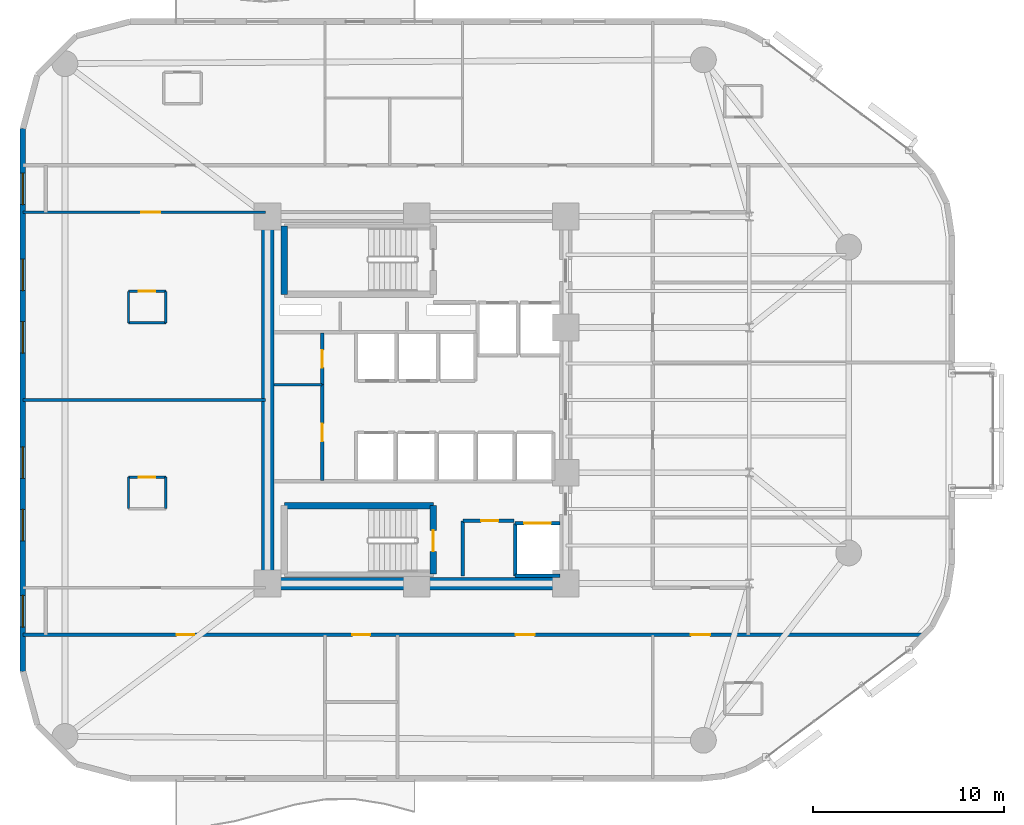
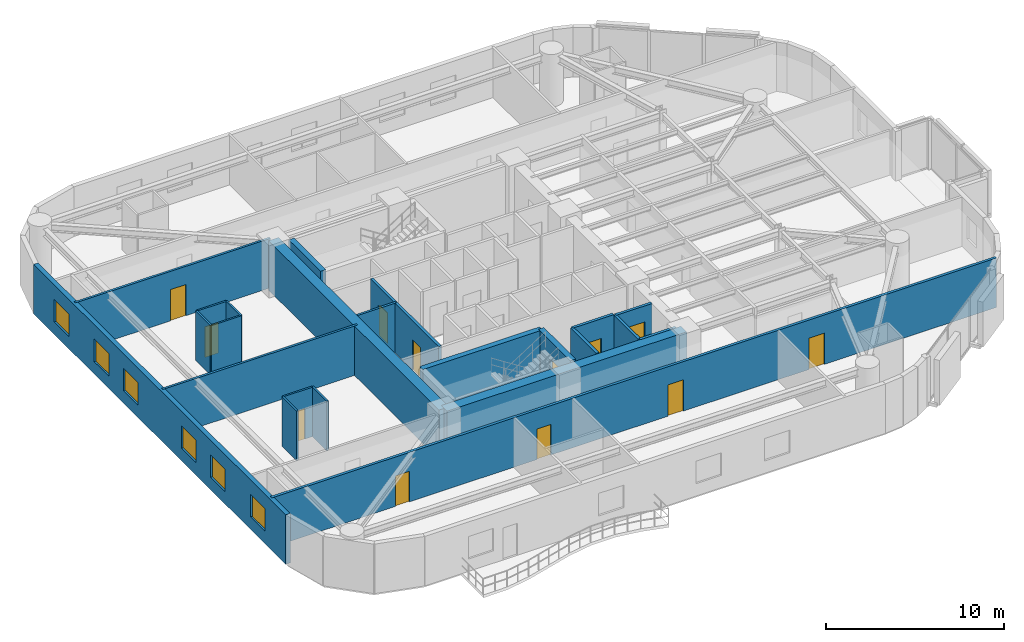
# One storey, part 8 of 13: 24 walls, 12 doors, 6 windows, 18 openings.
"""IFC4 building model written with IfcOpenShell, lengths in metres."""

from ifc_helpers import new_model, si_unit, direction, frame, frame_2d, origin, place, context, subcontext, project, spatial, rectangle, extrude, material, layer, layer_set, type_object, element, fill, save


model = new_model("IFC4")

# Units and contexts
model_context = context("Model", 3, precision=1e-05, world=origin(), true_north=direction((0.0, 1.0)))
body_context = subcontext(model_context, "Body", "Model", "MODEL_VIEW")
ifc_project = project(units=[si_unit("LENGTHUNIT", "METRE"), si_unit("AREAUNIT", "SQUARE_METRE"), si_unit("VOLUMEUNIT", "CUBIC_METRE"), si_unit("PLANEANGLEUNIT", "RADIAN"), si_unit("MASSUNIT", "GRAM", prefix="KILO")], contexts=[model_context])

# Site, building, storey
site_placement = place(None, origin())
site = spatial("IfcSite", under=ifc_project, at=site_placement, CompositionType="ELEMENT")
building_placement = place(site_placement, origin())
building = spatial("IfcBuilding", under=site, at=building_placement, Name="An Khanh Terracotta Commons", CompositionType="ELEMENT")
storey_placement = place(building_placement, frame((0.0, 0.0, 125.89990234375)))
storey = spatial("IfcBuildingStorey", under=building, at=storey_placement, Name="L33", CompositionType="ELEMENT", Elevation=125.89990234375)

# Walls
ifc_material_1 = material(Name="Concrete C60/75", Category="concrete")
ifc_layer_1 = layer(ifc_material_1, 0.64990234375, Name="Concrete C60/75")
ifc_layer_set_1 = layer_set([ifc_layer_1], Name="Concrete C60/75")
wall_type_1 = type_object("IfcWallType", Name="WALL-CORE-650", PredefinedType="SHEAR", material=ifc_layer_set_1)
wall_1_placement = place(storey_placement, frame((21.60009765625, 14.39990234375, 0.0), z_axis=(0.0, 0.0, 1.0), x_axis=(0.0, 1.0, 0.0)))
element("IfcWall", 1, at=wall_1_placement, inside=storey, type_object=wall_type_1, Name="L33 Core Wall CWALL-L33-W", PredefinedType="SHEAR", context=body_context, shape_type="SweptSolid", body=[
    extrude(rectangle(XDim=19.2001953125, YDim=0.64990234375, at=frame_2d((9.60009765625, 0.0))), origin(), (0.0, 0.0, 1.0), 3.400146484375),
])
wall_2_placement = place(storey_placement, frame((37.199951171875, 14.39990234375, 0.0), z_axis=(0.0, 0.0, 1.0), x_axis=(-1.0, 0.0, 0.0)))
element("IfcWall", 2, at=wall_2_placement, inside=storey, type_object=wall_type_1, Name="L33 Core Wall CWALL-L33-S", PredefinedType="SHEAR", context=body_context, shape_type="SweptSolid", body=[
    extrude(rectangle(XDim=15.599853515625, YDim=0.64990234375, at=frame_2d((7.7998046875, 0.0))), origin(), (0.0, 0.0, 1.0), 3.400146484375),
])

# Wall, opening, door
ifc_material_2 = material(Name="Fire-Rated Gypsum Board on Steel Stud", Category="steel")
ifc_layer_2 = layer(ifc_material_2, 0.179931640625, Name="Fire-Rated Gypsum Board on Steel Stud")
ifc_layer_set_2 = layer_set([ifc_layer_2], Name="Fire-Rated Gypsum Board on Steel Stud")
wall_type_2 = type_object("IfcWallType", Name="WALL-CORR-180", PredefinedType="PARTITIONING", material=ifc_layer_set_2)
wall_3_placement = place(storey_placement, frame((31.820068359375, 17.679931640625, 0.0), z_axis=(0.0, 0.0, 1.0), x_axis=(1.0, 0.0, 0.0)))
wall_3 = element("IfcWall", 3, at=wall_3_placement, inside=storey, type_object=wall_type_2, Name="L33 Core Wall SSVCW-L33-N", PredefinedType="PARTITIONING", context=body_context, shape_type="SweptSolid", body=[
    extrude(rectangle(XDim=2.659912109375, YDim=0.179931640625, at=frame_2d((1.330078125, 0.0))), origin(), (0.0, 0.0, 1.0), 3.400146484375),
])
opening_1_placement = place(wall_3_placement, frame((0.949951171875, 0.0, 0.0)))
opening_1 = element("IfcOpeningElement", 4, at=opening_1_placement, cuts=wall_3, Name="Opening D-SV", PredefinedType="OPENING", context=body_context, shape_type="SweptSolid", body=[
    extrude(rectangle(XDim=0.89990234375, YDim=2.050048828125, at=frame_2d((0.449951171875, 1.02490234375))), frame((0.0, 0.099853515625, 0.0), z_axis=(0.0, -1.0, 0.0), x_axis=(1.0, 0.0, 0.0)), (0.0, 0.0, 1.0), 0.199951171875),
])
ifc_material_3 = material(Name="Fire-Rated Powder-Coated Steel Door", Category="steel")
door_type_1 = type_object("IfcDoorType", Name="DOOR-SERV-900", OperationType="NOTDEFINED", PredefinedType="DOOR", material=ifc_material_3)
door_1_placement = place(opening_1_placement, origin())
door_1 = element("IfcDoor", 5, at=door_1_placement, inside=storey, type_object=door_type_1, Name="L33 Core Housekeeping Store Door", OperationType="SINGLE_SWING_LEFT", OverallHeight=2.050048828125, OverallWidth=0.89990234375, PredefinedType="DOOR", context=body_context, shape_type="SweptSolid", body=[
    extrude(rectangle(XDim=0.89990234375, YDim=2.050048828125, at=frame_2d((0.449951171875, 1.02490234375))), frame((0.0, 0.02490234375, 0.0), z_axis=(0.0, -1.0, 0.0), x_axis=(1.0, 0.0, 0.0)), (0.0, 0.0, 1.0), 0.050048828125),
])
fill(opening_1, door_1)

# Wall
wall_4_placement = place(storey_placement, frame((31.820068359375, 14.800048828125, 0.0), z_axis=(0.0, 0.0, 1.0), x_axis=(0.0, 1.0, 0.0)))
element("IfcWall", 6, at=wall_4_placement, inside=storey, type_object=wall_type_2, Name="L33 Core Wall SSVCW-L33-W", PredefinedType="PARTITIONING", context=body_context, shape_type="SweptSolid", body=[
    extrude(rectangle(XDim=2.8798828125, YDim=0.179931640625, at=frame_2d((1.43994140625, 0.0))), origin(), (0.0, 0.0, 1.0), 3.400146484375),
])

# Wall, opening, door
wall_5_placement = place(storey_placement, frame((34.550048828125, 17.550048828125, 0.0), z_axis=(0.0, 0.0, 1.0), x_axis=(1.0, 0.0, 0.0)))
wall_5 = element("IfcWall", 7, at=wall_5_placement, inside=storey, type_object=wall_type_2, Name="L33 Core Wall LSH-L33-SVL-01-N", PredefinedType="PARTITIONING", context=body_context, shape_type="SweptSolid", body=[
    extrude(rectangle(XDim=2.349853515625, YDim=0.179931640625, at=frame_2d((1.1748046875, 0.0))), origin(), (0.0, 0.0, 1.0), 3.400146484375),
])
opening_2_placement = place(wall_5_placement, frame((0.47509765625, 0.0, 0.0)))
opening_2 = element("IfcOpeningElement", 8, at=opening_2_placement, cuts=wall_5, Name="Opening LD-SVL-01-L33", PredefinedType="OPENING", context=body_context, shape_type="SweptSolid", body=[
    extrude(rectangle(XDim=1.39990234375, YDim=2.300048828125, at=frame_2d((0.699951171875, 1.14990234375))), frame((0.0, 0.099853515625, 0.0), z_axis=(0.0, -1.0, 0.0), x_axis=(1.0, 0.0, 0.0)), (0.0, 0.0, 1.0), 0.199951171875),
])
ifc_material_4 = material(Name="Heavy-Duty Stainless Steel Goods Landing Door", Category="steel")
door_type_2 = type_object("IfcDoorType", Name="DOOR-LD-SVL-1400", OperationType="NOTDEFINED", PredefinedType="DOOR", material=ifc_material_4)
door_2_placement = place(opening_2_placement, origin())
door_2 = element("IfcDoor", 9, at=door_2_placement, inside=storey, type_object=door_type_2, Name="L33 Lift SVL-01 Sliding Landing Door", OperationType="DOUBLE_DOOR_SLIDING", OverallHeight=2.300048828125, OverallWidth=1.39990234375, PredefinedType="DOOR", context=body_context, shape_type="SweptSolid", body=[
    extrude(rectangle(XDim=1.39990234375, YDim=2.300048828125, at=frame_2d((0.699951171875, 1.14990234375))), frame((0.0, 0.02490234375, 0.0), z_axis=(0.0, -1.0, 0.0), x_axis=(1.0, 0.0, 0.0)), (0.0, 0.0, 1.0), 0.050048828125),
])
fill(opening_2, door_2)

# Walls
wall_6_placement = place(storey_placement, frame((36.89990234375, 14.800048828125, 0.0), z_axis=(0.0, 0.0, 1.0), x_axis=(-1.0, 0.0, 0.0)))
element("IfcWall", 10, at=wall_6_placement, inside=storey, type_object=wall_type_2, Name="L33 Core Wall LSH-L33-SVL-01-S", PredefinedType="PARTITIONING", context=body_context, shape_type="SweptSolid", body=[
    extrude(rectangle(XDim=2.349853515625, YDim=0.179931640625, at=frame_2d((1.1748046875, 0.0))), origin(), (0.0, 0.0, 1.0), 3.400146484375),
])
wall_7_placement = place(storey_placement, frame((34.550048828125, 17.550048828125, 0.0), z_axis=(0.0, 0.0, 1.0), x_axis=(0.0, -1.0, 0.0)))
element("IfcWall", 11, at=wall_7_placement, inside=storey, type_object=wall_type_2, Name="L33 Core Wall LSH-L33-SVL-01-W", PredefinedType="PARTITIONING", context=body_context, shape_type="SweptSolid", body=[
    extrude(rectangle(XDim=2.75, YDim=0.179931640625, at=frame_2d((1.375, 0.0))), origin(), (0.0, 0.0, 1.0), 3.400146484375),
])

# Wall, opening, door
wall_8_placement = place(storey_placement, frame((24.4599609375, 24.800048828125, 0.0), z_axis=(0.0, 0.0, 1.0), x_axis=(0.0, 1.0, 0.0)))
wall_8 = element("IfcWall", 12, at=wall_8_placement, inside=storey, type_object=wall_type_2, Name="L33 Core Wall RECW-L33-E1", PredefinedType="PARTITIONING", context=body_context, shape_type="SweptSolid", body=[
    extrude(rectangle(XDim=2.699951171875, YDim=0.179931640625, at=frame_2d((1.35009765625, 0.0))), origin(), (0.0, 0.0, 1.0), 3.400146484375),
])
opening_3_placement = place(wall_8_placement, frame((0.889892578125, 0.0, 0.0)))
opening_3 = element("IfcOpeningElement", 13, at=opening_3_placement, cuts=wall_8, Name="Opening D-RM", PredefinedType="OPENING", context=body_context, shape_type="SweptSolid", body=[
    extrude(rectangle(XDim=0.919921875, YDim=2.10009765625, at=frame_2d((0.4599609375, 1.050048828125))), frame((0.0, 0.099853515625, 0.0), z_axis=(0.0, -1.0, 0.0), x_axis=(1.0, 0.0, 0.0)), (0.0, 0.0, 1.0), 0.199951171875),
])
ifc_material_5 = material(Name="Engineered Hardwood Timber Leaf", Category="wood")
door_type_3 = type_object("IfcDoorType", Name="DOOR-INT-920", OperationType="NOTDEFINED", PredefinedType="DOOR", material=ifc_material_5)
door_3_placement = place(opening_3_placement, origin())
door_3 = element("IfcDoor", 14, at=door_3_placement, inside=storey, type_object=door_type_3, Name="L33 Floor Pantry and Ice Room Door", OperationType="SINGLE_SWING_RIGHT", OverallHeight=2.10009765625, OverallWidth=0.919921875, PredefinedType="DOOR", context=body_context, shape_type="SweptSolid", body=[
    extrude(rectangle(XDim=0.919921875, YDim=2.10009765625, at=frame_2d((0.4599609375, 1.050048828125))), frame((0.0, 0.02490234375, 0.0), z_axis=(0.0, -1.0, 0.0), x_axis=(1.0, 0.0, 0.0)), (0.0, 0.0, 1.0), 0.050048828125),
])
fill(opening_3, door_3)

wall_9_placement = place(storey_placement, frame((24.4599609375, 19.800048828125, 0.0), z_axis=(0.0, 0.0, 1.0), x_axis=(0.0, 1.0, 0.0)))
wall_9 = element("IfcWall", 15, at=wall_9_placement, inside=storey, type_object=wall_type_2, Name="L33 Core Wall RECW-L33-E2", PredefinedType="PARTITIONING", context=body_context, shape_type="SweptSolid", body=[
    extrude(rectangle(XDim=5.0, YDim=0.179931640625, at=frame_2d((2.5, 0.0))), origin(), (0.0, 0.0, 1.0), 3.400146484375),
])
opening_4_placement = place(wall_9_placement, frame((2.0400390625, 0.0, 0.0)))
opening_4 = element("IfcOpeningElement", 16, at=opening_4_placement, cuts=wall_9, Name="Opening D-RM", PredefinedType="OPENING", context=body_context, shape_type="SweptSolid", body=[
    extrude(rectangle(XDim=0.919921875, YDim=2.10009765625, at=frame_2d((0.4599609375, 1.050048828125))), frame((0.0, 0.099853515625, 0.0), z_axis=(0.0, -1.0, 0.0), x_axis=(1.0, 0.0, 0.0)), (0.0, 0.0, 1.0), 0.199951171875),
])
door_4_placement = place(opening_4_placement, origin())
door_4 = element("IfcDoor", 17, at=door_4_placement, inside=storey, type_object=door_type_3, Name="L33 Luggage Locker Room Door", OperationType="SINGLE_SWING_LEFT", OverallHeight=2.10009765625, OverallWidth=0.919921875, PredefinedType="DOOR", context=body_context, shape_type="SweptSolid", body=[
    extrude(rectangle(XDim=0.919921875, YDim=2.10009765625, at=frame_2d((0.4599609375, 1.050048828125))), frame((0.0, 0.02490234375, 0.0), z_axis=(0.0, -1.0, 0.0), x_axis=(1.0, 0.0, 0.0)), (0.0, 0.0, 1.0), 0.050048828125),
])
fill(opening_4, door_4)

# Wall, openings, doors
wall_10_placement = place(storey_placement, frame((8.800048828125, 11.719970703125, 0.0), z_axis=(0.0, 0.0, 1.0), x_axis=(1.0, 0.0, 0.0)))
wall_10 = element("IfcWall", 18, at=wall_10_placement, inside=storey, type_object=wall_type_2, Name="L33 Interior Partition IW-L33-E002", PredefinedType="PARTITIONING", context=body_context, shape_type="SweptSolid", body=[
    extrude(rectangle(XDim=47.140869140625, YDim=0.179931640625, at=frame_2d((23.5703125, 0.0))), origin(), (0.0, 0.0, 1.0), 3.400146484375),
])
opening_5_placement = place(wall_10_placement, frame((17.239990234375, 0.0, 0.0)))
opening_5 = element("IfcOpeningElement", 19, at=opening_5_placement, cuts=wall_10, Name="Opening D-RM", PredefinedType="OPENING", context=body_context, shape_type="SweptSolid", body=[
    extrude(rectangle(XDim=0.919921875, YDim=2.10009765625, at=frame_2d((0.4599609375, 1.050048828125))), frame((0.0, 0.099853515625, 0.0), z_axis=(0.0, -1.0, 0.0), x_axis=(1.0, 0.0, 0.0)), (0.0, 0.0, 1.0), 0.199951171875),
])
opening_6_placement = place(wall_10_placement, frame((34.949951171875, 0.0, 0.0)))
opening_6 = element("IfcOpeningElement", 20, at=opening_6_placement, cuts=wall_10, Name="Opening D-UN", PredefinedType="OPENING", context=body_context, shape_type="SweptSolid", body=[
    extrude(rectangle(XDim=1.0, YDim=2.14990234375, at=frame_2d((0.5, 1.074951171875))), frame((0.0, 0.099853515625, 0.0), z_axis=(0.0, -1.0, 0.0), x_axis=(1.0, 0.0, 0.0)), (0.0, 0.0, 1.0), 0.199951171875),
])
opening_7_placement = place(wall_10_placement, frame((8.0400390625, 0.0, 0.0)))
opening_7 = element("IfcOpeningElement", 21, at=opening_7_placement, cuts=wall_10, Name="Opening D-RM", PredefinedType="OPENING", context=body_context, shape_type="SweptSolid", body=[
    extrude(rectangle(XDim=0.919921875, YDim=2.10009765625, at=frame_2d((0.4599609375, 1.050048828125))), frame((0.0, 0.099853515625, 0.0), z_axis=(0.0, -1.0, 0.0), x_axis=(1.0, 0.0, 0.0)), (0.0, 0.0, 1.0), 0.199951171875),
])
opening_8_placement = place(wall_10_placement, frame((25.77490234375, 0.0, 0.0)))
opening_8 = element("IfcOpeningElement", 22, at=opening_8_placement, cuts=wall_10, Name="Opening D-UN", PredefinedType="OPENING", context=body_context, shape_type="SweptSolid", body=[
    extrude(rectangle(XDim=1.0, YDim=2.14990234375, at=frame_2d((0.5, 1.074951171875))), frame((0.0, 0.099853515625, 0.0), z_axis=(0.0, -1.0, 0.0), x_axis=(1.0, 0.0, 0.0)), (0.0, 0.0, 1.0), 0.199951171875),
])
door_5_placement = place(opening_5_placement, origin())
door_5 = element("IfcDoor", 23, at=door_5_placement, inside=storey, type_object=door_type_3, Name="L33 HKP Housekeeping Linen Store Door", OperationType="SINGLE_SWING_LEFT", OverallHeight=2.10009765625, OverallWidth=0.919921875, PredefinedType="DOOR", context=body_context, shape_type="SweptSolid", body=[
    extrude(rectangle(XDim=0.919921875, YDim=2.10009765625, at=frame_2d((0.4599609375, 1.050048828125))), frame((0.0, 0.02490234375, 0.0), z_axis=(0.0, -1.0, 0.0), x_axis=(1.0, 0.0, 0.0)), (0.0, 0.0, 1.0), 0.050048828125),
])
fill(opening_5, door_5)
door_6_placement = place(opening_7_placement, origin())
door_6 = element("IfcDoor", 24, at=door_6_placement, inside=storey, type_object=door_type_3, Name="L33 SW1 Music Practice Room Door", OperationType="SINGLE_SWING_RIGHT", OverallHeight=2.10009765625, OverallWidth=0.919921875, PredefinedType="DOOR", context=body_context, shape_type="SweptSolid", body=[
    extrude(rectangle(XDim=0.919921875, YDim=2.10009765625, at=frame_2d((0.4599609375, 1.050048828125))), frame((0.0, 0.02490234375, 0.0), z_axis=(0.0, -1.0, 0.0), x_axis=(1.0, 0.0, 0.0)), (0.0, 0.0, 1.0), 0.050048828125),
])
fill(opening_7, door_6)
ifc_material_6 = material(Name="Solid-Core Hardwood Acoustic Fire Door", Category="wood")
door_type_4 = type_object("IfcDoorType", Name="DOOR-UNIT-1000", OperationType="NOTDEFINED", PredefinedType="DOOR", material=ifc_material_6)
door_7_placement = place(opening_6_placement, origin())
door_7 = element("IfcDoor", 25, at=door_7_placement, inside=storey, type_object=door_type_4, Name="L33 FANS Kitchenette and Studio Apartment Door", OperationType="SINGLE_SWING_LEFT", OverallHeight=2.14990234375, OverallWidth=1.0, PredefinedType="DOOR", context=body_context, shape_type="SweptSolid", body=[
    extrude(rectangle(XDim=1.0, YDim=2.14990234375, at=frame_2d((0.5, 1.074951171875))), frame((0.0, 0.02490234375, 0.0), z_axis=(0.0, -1.0, 0.0), x_axis=(1.0, 0.0, 0.0)), (0.0, 0.0, 1.0), 0.050048828125),
])
fill(opening_6, door_7)
door_8_placement = place(opening_8_placement, origin())
door_8 = element("IfcDoor", 26, at=door_8_placement, inside=storey, type_object=door_type_4, Name="L33 SWE Yoga Studio Door", OperationType="SINGLE_SWING_LEFT", OverallHeight=2.14990234375, OverallWidth=1.0, PredefinedType="DOOR", context=body_context, shape_type="SweptSolid", body=[
    extrude(rectangle(XDim=1.0, YDim=2.14990234375, at=frame_2d((0.5, 1.074951171875))), frame((0.0, 0.02490234375, 0.0), z_axis=(0.0, -1.0, 0.0), x_axis=(1.0, 0.0, 0.0)), (0.0, 0.0, 1.0), 0.050048828125),
])
fill(opening_8, door_8)

# Wall, openings, windows
ifc_material_7 = material(Name="Precast concrete C40/50", Category="concrete")
ifc_layer_3 = layer(ifc_material_7, 0.300048828125, Name="Precast concrete C40/50")
ifc_layer_set_3 = layer_set([ifc_layer_3], Name="Precast concrete C40/50")
wall_type_3 = type_object("IfcWallType", Name="WALL-EXT-300", PredefinedType="SOLIDWALL", material=ifc_layer_set_3)
wall_11_placement = place(storey_placement, frame((8.800048828125, 38.199951171875, 0.0), z_axis=(0.0, 0.0, 1.0), x_axis=(0.0, -1.0, 0.0)))
wall_11 = element("IfcWall", 27, at=wall_11_placement, inside=storey, type_object=wall_type_3, Name="L33 Insulated Terracotta Exterior Wall 24", PredefinedType="SOLIDWALL", context=body_context, shape_type="SweptSolid", body=[
    extrude(rectangle(XDim=28.39990234375, YDim=0.300048828125, at=frame_2d((14.199951171875, 0.0))), origin(), (0.0, 0.0, 1.0), 3.400146484375),
])
opening_9_placement = place(wall_11_placement, frame((2.324951171875, 0.0, 0.85009765625)))
opening_9 = element("IfcOpeningElement", 28, at=opening_9_placement, cuts=wall_11, Name="Opening W-02", PredefinedType="OPENING", context=body_context, shape_type="SweptSolid", body=[
    extrude(rectangle(XDim=1.64990234375, YDim=1.550048828125, at=frame_2d((0.824951171875, 0.77490234375))), frame((0.0, 0.159912109375, 0.0), z_axis=(0.0, -1.0, 0.0), x_axis=(1.0, 0.0, 0.0)), (0.0, 0.0, 1.0), 0.320068359375),
])
opening_10_placement = place(wall_11_placement, frame((6.827880859375, 0.0, 0.85009765625)))
opening_10 = element("IfcOpeningElement", 29, at=opening_10_placement, cuts=wall_11, Name="Opening W-02", PredefinedType="OPENING", context=body_context, shape_type="SweptSolid", body=[
    extrude(rectangle(XDim=1.64990234375, YDim=1.550048828125, at=frame_2d((0.824951171875, 0.77490234375))), frame((0.0, 0.159912109375, 0.0), z_axis=(0.0, -1.0, 0.0), x_axis=(1.0, 0.0, 0.0)), (0.0, 0.0, 1.0), 0.320068359375),
])
opening_11_placement = place(wall_11_placement, frame((10.10205078125, 0.0, 0.85009765625)))
opening_11 = element("IfcOpeningElement", 30, at=opening_11_placement, cuts=wall_11, Name="Opening W-02", PredefinedType="OPENING", context=body_context, shape_type="SweptSolid", body=[
    extrude(rectangle(XDim=1.64990234375, YDim=1.550048828125, at=frame_2d((0.824951171875, 0.77490234375))), frame((0.0, 0.159912109375, 0.0), z_axis=(0.0, -1.0, 0.0), x_axis=(1.0, 0.0, 0.0)), (0.0, 0.0, 1.0), 0.320068359375),
])
opening_12_placement = place(wall_11_placement, frame((16.64794921875, 0.0, 0.85009765625)))
opening_12 = element("IfcOpeningElement", 31, at=opening_12_placement, cuts=wall_11, Name="Opening W-02", PredefinedType="OPENING", context=body_context, shape_type="SweptSolid", body=[
    extrude(rectangle(XDim=1.64990234375, YDim=1.550048828125, at=frame_2d((0.824951171875, 0.77490234375))), frame((0.0, 0.159912109375, 0.0), z_axis=(0.0, -1.0, 0.0), x_axis=(1.0, 0.0, 0.0)), (0.0, 0.0, 1.0), 0.320068359375),
])
opening_13_placement = place(wall_11_placement, frame((19.922119140625, 0.0, 0.85009765625)))
opening_13 = element("IfcOpeningElement", 32, at=opening_13_placement, cuts=wall_11, Name="Opening W-02", PredefinedType="OPENING", context=body_context, shape_type="SweptSolid", body=[
    extrude(rectangle(XDim=1.64990234375, YDim=1.550048828125, at=frame_2d((0.824951171875, 0.77490234375))), frame((0.0, 0.159912109375, 0.0), z_axis=(0.0, -1.0, 0.0), x_axis=(1.0, 0.0, 0.0)), (0.0, 0.0, 1.0), 0.320068359375),
])
opening_14_placement = place(wall_11_placement, frame((24.425048828125, 0.0, 0.85009765625)))
opening_14 = element("IfcOpeningElement", 33, at=opening_14_placement, cuts=wall_11, Name="Opening W-02", PredefinedType="OPENING", context=body_context, shape_type="SweptSolid", body=[
    extrude(rectangle(XDim=1.64990234375, YDim=1.550048828125, at=frame_2d((0.824951171875, 0.77490234375))), frame((0.0, 0.159912109375, 0.0), z_axis=(0.0, -1.0, 0.0), x_axis=(1.0, 0.0, 0.0)), (0.0, 0.0, 1.0), 0.320068359375),
])
ifc_material_8 = material(Name="Thermally Broken Aluminium and Low-E Glass", Category="aluminium")
window_type = type_object("IfcWindowType", Name="WIN-Z2-1650x1550", PartitioningType="DOUBLE_PANEL_VERTICAL", PredefinedType="WINDOW", material=ifc_material_8)
window_1_placement = place(opening_9_placement, origin())
window_1 = element("IfcWindow", 34, at=window_1_placement, inside=storey, type_object=window_type, Name="L33 Operable Casement Window 24.1", OverallHeight=1.550048828125, OverallWidth=1.64990234375, PartitioningType="DOUBLE_PANEL_VERTICAL", PredefinedType="WINDOW", context=body_context, shape_type="SweptSolid", body=[
    extrude(rectangle(XDim=1.64990234375, YDim=1.550048828125, at=frame_2d((0.824951171875, 0.77490234375))), frame((0.0, 0.030029296875, 0.0), z_axis=(0.0, -1.0, 0.0), x_axis=(1.0, 0.0, 0.0)), (0.0, 0.0, 1.0), 0.06005859375),
])
fill(opening_9, window_1)
window_2_placement = place(opening_10_placement, origin())
window_2 = element("IfcWindow", 35, at=window_2_placement, inside=storey, type_object=window_type, Name="L33 Operable Casement Window 24.2", OverallHeight=1.550048828125, OverallWidth=1.64990234375, PartitioningType="DOUBLE_PANEL_VERTICAL", PredefinedType="WINDOW", context=body_context, shape_type="SweptSolid", body=[
    extrude(rectangle(XDim=1.64990234375, YDim=1.550048828125, at=frame_2d((0.824951171875, 0.77490234375))), frame((0.0, 0.030029296875, 0.0), z_axis=(0.0, -1.0, 0.0), x_axis=(1.0, 0.0, 0.0)), (0.0, 0.0, 1.0), 0.06005859375),
])
fill(opening_10, window_2)
window_3_placement = place(opening_11_placement, origin())
window_3 = element("IfcWindow", 36, at=window_3_placement, inside=storey, type_object=window_type, Name="L33 Operable Casement Window 24.3", OverallHeight=1.550048828125, OverallWidth=1.64990234375, PartitioningType="DOUBLE_PANEL_VERTICAL", PredefinedType="WINDOW", context=body_context, shape_type="SweptSolid", body=[
    extrude(rectangle(XDim=1.64990234375, YDim=1.550048828125, at=frame_2d((0.824951171875, 0.77490234375))), frame((0.0, 0.030029296875, 0.0), z_axis=(0.0, -1.0, 0.0), x_axis=(1.0, 0.0, 0.0)), (0.0, 0.0, 1.0), 0.06005859375),
])
fill(opening_11, window_3)
window_4_placement = place(opening_12_placement, origin())
window_4 = element("IfcWindow", 37, at=window_4_placement, inside=storey, type_object=window_type, Name="L33 Operable Casement Window 24.4", OverallHeight=1.550048828125, OverallWidth=1.64990234375, PartitioningType="DOUBLE_PANEL_VERTICAL", PredefinedType="WINDOW", context=body_context, shape_type="SweptSolid", body=[
    extrude(rectangle(XDim=1.64990234375, YDim=1.550048828125, at=frame_2d((0.824951171875, 0.77490234375))), frame((0.0, 0.030029296875, 0.0), z_axis=(0.0, -1.0, 0.0), x_axis=(1.0, 0.0, 0.0)), (0.0, 0.0, 1.0), 0.06005859375),
])
fill(opening_12, window_4)
window_5_placement = place(opening_13_placement, origin())
window_5 = element("IfcWindow", 38, at=window_5_placement, inside=storey, type_object=window_type, Name="L33 Operable Casement Window 24.5", OverallHeight=1.550048828125, OverallWidth=1.64990234375, PartitioningType="DOUBLE_PANEL_VERTICAL", PredefinedType="WINDOW", context=body_context, shape_type="SweptSolid", body=[
    extrude(rectangle(XDim=1.64990234375, YDim=1.550048828125, at=frame_2d((0.824951171875, 0.77490234375))), frame((0.0, 0.030029296875, 0.0), z_axis=(0.0, -1.0, 0.0), x_axis=(1.0, 0.0, 0.0)), (0.0, 0.0, 1.0), 0.06005859375),
])
fill(opening_13, window_5)
window_6_placement = place(opening_14_placement, origin())
window_6 = element("IfcWindow", 39, at=window_6_placement, inside=storey, type_object=window_type, Name="L33 Operable Casement Window 24.6", OverallHeight=1.550048828125, OverallWidth=1.64990234375, PartitioningType="DOUBLE_PANEL_VERTICAL", PredefinedType="WINDOW", context=body_context, shape_type="SweptSolid", body=[
    extrude(rectangle(XDim=1.64990234375, YDim=1.550048828125, at=frame_2d((0.824951171875, 0.77490234375))), frame((0.0, 0.030029296875, 0.0), z_axis=(0.0, -1.0, 0.0), x_axis=(1.0, 0.0, 0.0)), (0.0, 0.0, 1.0), 0.06005859375),
])
fill(opening_14, window_6)

# Walls
ifc_material_9 = material(Name="Acoustic Gypsum Board Partition")
ifc_layer_4 = layer(ifc_material_9, 0.14990234375, Name="Acoustic Gypsum Board Partition")
ifc_layer_set_4 = layer_set([ifc_layer_4], Name="Acoustic Gypsum Board Partition")
wall_type_4 = type_object("IfcWallType", Name="WALL-PART-150", PredefinedType="PARTITIONING", material=ifc_layer_set_4)
wall_12_placement = place(storey_placement, frame((21.949951171875, 24.800048828125, 0.0), z_axis=(0.0, 0.0, 1.0), x_axis=(1.0, 0.0, 0.0)))
element("IfcWall", 40, at=wall_12_placement, inside=storey, type_object=wall_type_4, Name="L33 Core Wall RECW-L33-M", PredefinedType="PARTITIONING", context=body_context, shape_type="SweptSolid", body=[
    extrude(rectangle(XDim=2.510009765625, YDim=0.14990234375, at=frame_2d((1.2548828125, 0.0))), origin(), (0.0, 0.0, 1.0), 3.400146484375),
])
wall_13_placement = place(storey_placement, frame((8.800048828125, 24.0, 0.0), z_axis=(0.0, 0.0, 1.0), x_axis=(1.0, 0.0, 0.0)))
element("IfcWall", 41, at=wall_13_placement, inside=storey, type_object=wall_type_4, Name="L33 Interior Partition IW-L33-E006", PredefinedType="PARTITIONING", context=body_context, shape_type="SweptSolid", body=[
    extrude(rectangle(XDim=12.679931640625, YDim=0.14990234375, at=frame_2d((6.33984375, 0.0))), origin(), (0.0, 0.0, 1.0), 3.400146484375),
])

# Wall, opening, door
wall_14_placement = place(storey_placement, frame((8.800048828125, 33.820068359375, 0.0), z_axis=(0.0, 0.0, 1.0), x_axis=(1.0, 0.0, 0.0)))
wall_14 = element("IfcWall", 42, at=wall_14_placement, inside=storey, type_object=wall_type_4, Name="L33 Interior Partition IW-L33-E009", PredefinedType="PARTITIONING", context=body_context, shape_type="SweptSolid", body=[
    extrude(rectangle(XDim=12.679931640625, YDim=0.14990234375, at=frame_2d((6.33984375, 0.0))), origin(), (0.0, 0.0, 1.0), 3.400146484375),
])
opening_15_placement = place(wall_14_placement, frame((6.179931640625, 0.0, 0.0)))
opening_15 = element("IfcOpeningElement", 43, at=opening_15_placement, cuts=wall_14, Name="Opening D-UN", PredefinedType="OPENING", context=body_context, shape_type="SweptSolid", body=[
    extrude(rectangle(XDim=1.0, YDim=2.14990234375, at=frame_2d((0.5, 1.074951171875))), frame((0.0, 0.0849609375, 0.0), z_axis=(0.0, -1.0, 0.0), x_axis=(1.0, 0.0, 0.0)), (0.0, 0.0, 1.0), 0.169921875),
])
door_9_placement = place(opening_15_placement, origin())
door_9 = element("IfcDoor", 44, at=door_9_placement, inside=storey, type_object=door_type_4, Name="L33 WW2 Kitchenette and Studio Apartment Door", OperationType="SINGLE_SWING_LEFT", OverallHeight=2.14990234375, OverallWidth=1.0, PredefinedType="DOOR", context=body_context, shape_type="SweptSolid", body=[
    extrude(rectangle(XDim=1.0, YDim=2.14990234375, at=frame_2d((0.5, 1.074951171875))), frame((0.0, 0.02490234375, 0.0), z_axis=(0.0, -1.0, 0.0), x_axis=(1.0, 0.0, 0.0)), (0.0, 0.0, 1.0), 0.050048828125),
])
fill(opening_15, door_9)

# Walls
ifc_material_10 = material(Name="Concrete C50/60", Category="concrete")
ifc_layer_5 = layer(ifc_material_10, 0.35009765625, Name="Concrete C50/60")
ifc_layer_set_5 = layer_set([ifc_layer_5], Name="Concrete C50/60")
wall_type_5 = type_object("IfcWallType", Name="WALL-SHAFT-350", PredefinedType="SOLIDWALL", material=ifc_layer_set_5)
wall_15_placement = place(storey_placement, frame((22.47998046875, 29.530029296875, 0.0), z_axis=(0.0, 0.0, 1.0), x_axis=(0.0, 1.0, 0.0)))
element("IfcWall", 45, at=wall_15_placement, inside=storey, type_object=wall_type_5, Name="L33 Core Wall STW-L33-N-W", PredefinedType="SOLIDWALL", context=body_context, shape_type="SweptSolid", body=[
    extrude(rectangle(XDim=3.580078125, YDim=0.35009765625, at=frame_2d((1.7900390625, 0.0))), origin(), (0.0, 0.0, 1.0), 3.400146484375),
])
wall_16_placement = place(storey_placement, frame((22.47998046875, 18.469970703125, 0.0), z_axis=(0.0, 0.0, 1.0), x_axis=(1.0, 0.0, 0.0)))
element("IfcWall", 46, at=wall_16_placement, inside=storey, type_object=wall_type_5, Name="L33 Core Wall STW-L33-S-N", PredefinedType="SOLIDWALL", context=body_context, shape_type="SweptSolid", body=[
    extrude(rectangle(XDim=7.7900390625, YDim=0.35009765625, at=frame_2d((3.89501953125, 0.0))), origin(), (0.0, 0.0, 1.0), 3.400146484375),
])

# Wall, opening, door
wall_17_placement = place(storey_placement, frame((30.27001953125, 14.889892578125, 0.0), z_axis=(0.0, 0.0, 1.0), x_axis=(0.0, 1.0, 0.0)))
wall_17 = element("IfcWall", 47, at=wall_17_placement, inside=storey, type_object=wall_type_5, Name="L33 Core Wall STW-L33-S-E", PredefinedType="SOLIDWALL", context=body_context, shape_type="SweptSolid", body=[
    extrude(rectangle(XDim=3.580078125, YDim=0.35009765625, at=frame_2d((1.7900390625, 0.0))), origin(), (0.0, 0.0, 1.0), 3.400146484375),
])
opening_16_placement = place(wall_17_placement, frame((1.18994140625, 0.0, 0.0)))
opening_16 = element("IfcOpeningElement", 48, at=opening_16_placement, cuts=wall_17, Name="Opening D-ST", PredefinedType="OPENING", context=body_context, shape_type="SweptSolid", body=[
    extrude(rectangle(XDim=1.10009765625, YDim=2.14990234375, at=frame_2d((0.550048828125, 1.074951171875))), frame((0.0, 0.18505859375, 0.0), z_axis=(0.0, -1.0, 0.0), x_axis=(1.0, 0.0, 0.0)), (0.0, 0.0, 1.0), 0.3701171875),
])
ifc_material_11 = material(Name="Fire-Rated Steel Leaf and Frame", Category="steel")
door_type_5 = type_object("IfcDoorType", Name="DOOR-STAIR-1100", OperationType="NOTDEFINED", PredefinedType="DOOR", material=ifc_material_11)
door_10_placement = place(opening_16_placement, origin())
door_10 = element("IfcDoor", 49, at=door_10_placement, inside=storey, type_object=door_type_5, Name="L33 Stair ST-02 Fire Door", OperationType="SINGLE_SWING_RIGHT", OverallHeight=2.14990234375, OverallWidth=1.10009765625, PredefinedType="DOOR", context=body_context, shape_type="SweptSolid", body=[
    extrude(rectangle(XDim=1.10009765625, YDim=2.14990234375, at=frame_2d((0.550048828125, 1.074951171875))), frame((0.0, 0.02490234375, 0.0), z_axis=(0.0, -1.0, 0.0), x_axis=(1.0, 0.0, 0.0)), (0.0, 0.0, 1.0), 0.050048828125),
])
fill(opening_16, door_10)

ifc_material_12 = material(Name="Moisture-Resistant Cement Board Partition")
ifc_layer_6 = layer(ifc_material_12, 0.1201171875, Name="Moisture-Resistant Cement Board Partition")
ifc_layer_set_6 = layer_set([ifc_layer_6], Name="Moisture-Resistant Cement Board Partition")
wall_type_6 = type_object("IfcWallType", Name="WALL-WET-120", PredefinedType="PARTITIONING", material=ifc_layer_set_6)
wall_18_placement = place(storey_placement, frame((14.324951171875, 19.965087890625, 0.0), z_axis=(0.0, 0.0, 1.0), x_axis=(1.0, 0.0, 0.0)))
wall_18 = element("IfcWall", 50, at=wall_18_placement, inside=storey, type_object=wall_type_6, Name="L33 Interior Partition IW-L33-WW1-BN", PredefinedType="PARTITIONING", context=body_context, shape_type="SweptSolid", body=[
    extrude(rectangle(XDim=1.949951171875, YDim=0.1201171875, at=frame_2d((0.97509765625, 0.0))), origin(), (0.0, 0.0, 1.0), 3.400146484375),
])
opening_17_placement = place(wall_18_placement, frame((0.544921875, 0.0, 0.0)))
opening_17 = element("IfcOpeningElement", 51, at=opening_17_placement, cuts=wall_18, Name="Opening D-ENS", PredefinedType="OPENING", context=body_context, shape_type="SweptSolid", body=[
    extrude(rectangle(XDim=0.860107421875, YDim=2.10009765625, at=frame_2d((0.43017578125, 1.050048828125))), frame((0.0, 0.070068359375, 0.0), z_axis=(0.0, -1.0, 0.0), x_axis=(1.0, 0.0, 0.0)), (0.0, 0.0, 1.0), 0.14013671875),
])
ifc_material_13 = material(Name="Moisture-Resistant Hardwood Timber Leaf", Category="wood")
door_type_6 = type_object("IfcDoorType", Name="DOOR-BATH-860", OperationType="NOTDEFINED", PredefinedType="DOOR", material=ifc_material_13)
door_11_placement = place(opening_17_placement, origin())
door_11 = element("IfcDoor", 52, at=door_11_placement, inside=storey, type_object=door_type_6, Name="L33 Studio WW1 En-suite Door", OperationType="SINGLE_SWING_LEFT", OverallHeight=2.10009765625, OverallWidth=0.860107421875, PredefinedType="DOOR", context=body_context, shape_type="SweptSolid", body=[
    extrude(rectangle(XDim=0.860107421875, YDim=2.10009765625, at=frame_2d((0.43017578125, 1.050048828125))), frame((0.0, 0.02490234375, 0.0), z_axis=(0.0, -1.0, 0.0), x_axis=(1.0, 0.0, 0.0)), (0.0, 0.0, 1.0), 0.050048828125),
])
fill(opening_17, door_11)

# Walls
for number, where, z_axis, x_axis, name in (
    (53, (14.324951171875, 19.965087890625, 0.0), (0.0, 0.0, 1.0), (0.0, -1.0, 0.0), "L33 Interior Partition IW-L33-WW1-BW"),
    (54, (16.27490234375, 18.31494140625, 0.0), (0.0, 0.0, 1.0), (0.0, 1.0, 0.0), "L33 Interior Partition IW-L33-WW1-BE"),
):
    element("IfcWall", number, at=place(storey_placement, frame(where, z_axis=z_axis, x_axis=x_axis)), inside=storey, type_object=wall_type_6, Name=name, PredefinedType="PARTITIONING", context=body_context, shape_type="SweptSolid", body=[
        extrude(rectangle(XDim=1.650146484375, YDim=0.1201171875, at=frame_2d((0.8251953125, 0.0))), origin(), (0.0, 0.0, 1.0), 3.400146484375),
    ])

# Wall, opening, door
wall_19_placement = place(storey_placement, frame((14.324951171875, 29.68505859375, 0.0), z_axis=(0.0, 0.0, 1.0), x_axis=(1.0, 0.0, 0.0)))
wall_19 = element("IfcWall", 55, at=wall_19_placement, inside=storey, type_object=wall_type_6, Name="L33 Interior Partition IW-L33-WW2-BN", PredefinedType="PARTITIONING", context=body_context, shape_type="SweptSolid", body=[
    extrude(rectangle(XDim=1.949951171875, YDim=0.1201171875, at=frame_2d((0.97509765625, 0.0))), origin(), (0.0, 0.0, 1.0), 3.400146484375),
])
opening_18_placement = place(wall_19_placement, frame((0.544921875, 0.0, 0.0)))
opening_18 = element("IfcOpeningElement", 56, at=opening_18_placement, cuts=wall_19, Name="Opening D-ENS", PredefinedType="OPENING", context=body_context, shape_type="SweptSolid", body=[
    extrude(rectangle(XDim=0.860107421875, YDim=2.10009765625, at=frame_2d((0.43017578125, 1.050048828125))), frame((0.0, 0.070068359375, 0.0), z_axis=(0.0, -1.0, 0.0), x_axis=(1.0, 0.0, 0.0)), (0.0, 0.0, 1.0), 0.14013671875),
])
door_12_placement = place(opening_18_placement, origin())
door_12 = element("IfcDoor", 57, at=door_12_placement, inside=storey, type_object=door_type_6, Name="L33 Studio WW2 En-suite Door", OperationType="SINGLE_SWING_RIGHT", OverallHeight=2.10009765625, OverallWidth=0.860107421875, PredefinedType="DOOR", context=body_context, shape_type="SweptSolid", body=[
    extrude(rectangle(XDim=0.860107421875, YDim=2.10009765625, at=frame_2d((0.43017578125, 1.050048828125))), frame((0.0, 0.02490234375, 0.0), z_axis=(0.0, -1.0, 0.0), x_axis=(1.0, 0.0, 0.0)), (0.0, 0.0, 1.0), 0.050048828125),
])
fill(opening_18, door_12)

# Walls
wall_20_placement = place(storey_placement, frame((16.27490234375, 28.034912109375, 0.0), z_axis=(0.0, 0.0, 1.0), x_axis=(-1.0, 0.0, 0.0)))
element("IfcWall", 58, at=wall_20_placement, inside=storey, type_object=wall_type_6, Name="L33 Interior Partition IW-L33-WW2-BS", PredefinedType="PARTITIONING", context=body_context, shape_type="SweptSolid", body=[
    extrude(rectangle(XDim=1.949951171875, YDim=0.1201171875, at=frame_2d((0.97509765625, 0.0))), origin(), (0.0, 0.0, 1.0), 3.400146484375),
])
for number, where, z_axis, x_axis, name in (
    (59, (14.324951171875, 29.68505859375, 0.0), (0.0, 0.0, 1.0), (0.0, -1.0, 0.0), "L33 Interior Partition IW-L33-WW2-BW"),
    (60, (16.27490234375, 28.034912109375, 0.0), (0.0, 0.0, 1.0), (0.0, 1.0, 0.0), "L33 Interior Partition IW-L33-WW2-BE"),
):
    element("IfcWall", number, at=place(storey_placement, frame(where, z_axis=z_axis, x_axis=x_axis)), inside=storey, type_object=wall_type_6, Name=name, PredefinedType="PARTITIONING", context=body_context, shape_type="SweptSolid", body=[
        extrude(rectangle(XDim=1.650146484375, YDim=0.1201171875, at=frame_2d((0.8251953125, 0.0))), origin(), (0.0, 0.0, 1.0), 3.400146484375),
    ])

save(model, "model.ifc")
